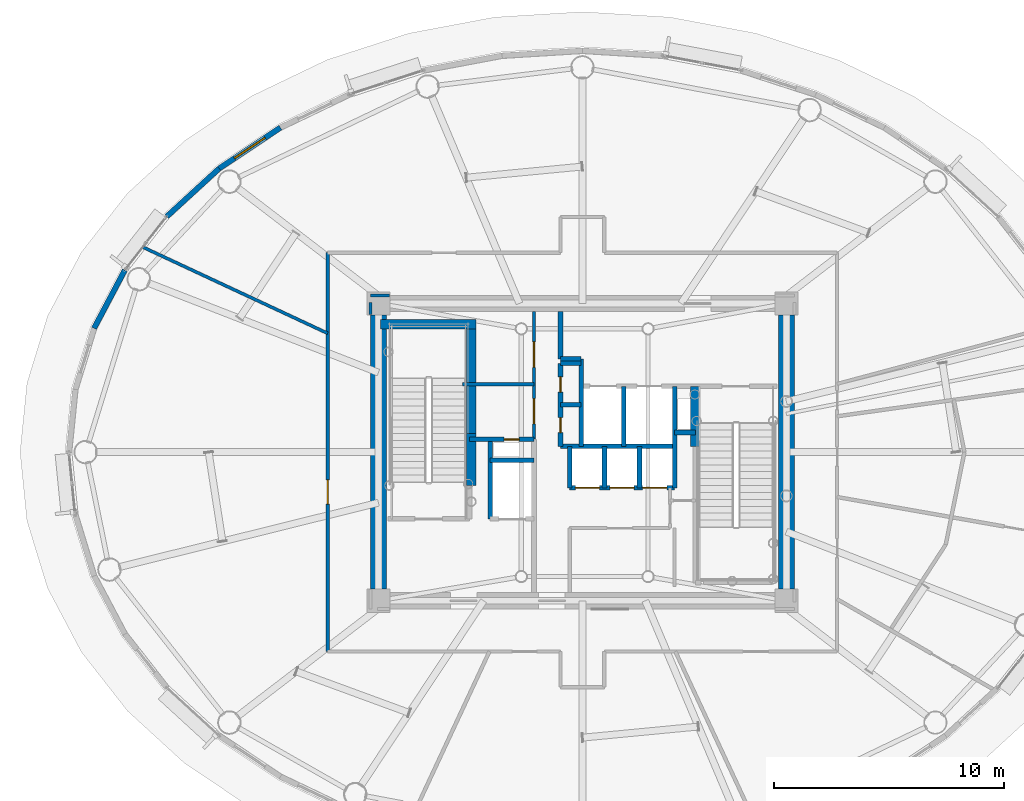
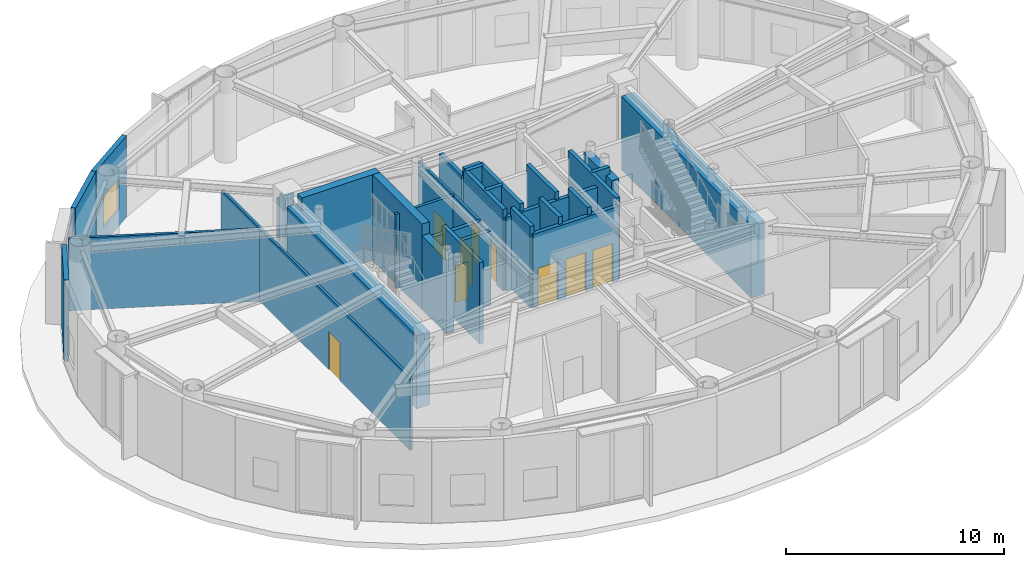
# One storey, part 23 of 32: 32 walls, 9 doors, 1 window, 10 openings.
"""IFC4 building model written with IfcOpenShell, lengths in metres."""

from ifc_helpers import new_model, si_unit, direction, frame, frame_2d, origin, origin_2d, place, context, subcontext, project, spatial, rectangle, extrude, source, transform, mapped, material, layer, layer_set, type_object, element, fill, save


model = new_model("IFC4")

# Units and contexts
model_context = context("Model", 3, precision=1e-05, world=origin(), true_north=direction((0.0, 1.0)))
body_context = subcontext(model_context, "Body", "Model", "MODEL_VIEW")
ifc_project = project(units=[si_unit("LENGTHUNIT", "METRE"), si_unit("AREAUNIT", "SQUARE_METRE"), si_unit("VOLUMEUNIT", "CUBIC_METRE"), si_unit("PLANEANGLEUNIT", "RADIAN"), si_unit("MASSUNIT", "GRAM", prefix="KILO")], contexts=[model_context])

# Site, building, storey
site_placement = place(None, origin())
site = spatial("IfcSite", under=ifc_project, at=site_placement, CompositionType="ELEMENT")
building_placement = place(site_placement, origin())
building = spatial("IfcBuilding", under=site, at=building_placement, Name="Linh Dai School and Residence Tower", CompositionType="ELEMENT")
storey_placement = place(building_placement, frame((0.0, 0.0, 268.199951171875)))
storey = spatial("IfcBuildingStorey", under=building, at=storey_placement, Name="L66", CompositionType="ELEMENT", Elevation=268.199951171875)

# Wall, opening, window
ifc_material_1 = material(Name="Precast Concrete B45 (C35/45)", Category="concrete")
ifc_layer_1 = layer(ifc_material_1, 0.239990234375)
ifc_layer_set_1 = layer_set([ifc_layer_1], Name="Precast Concrete B45 (C35/45)")
wall_type_1 = type_object("IfcWallType", Name="EW-TC-240", PredefinedType="SOLIDWALL", material=ifc_layer_set_1)
wall_1_placement = place(storey_placement, frame((20.23779296875, 39.30419921875, 0.0), z_axis=(0.0, 0.0, 1.0), x_axis=(0.831250592635, 0.55589787933, 0.0)))
wall_1 = element("IfcWall", 1, at=wall_1_placement, inside=storey, type_object=wall_type_1, Name="L66 Terracotta Exterior Wall 15", PredefinedType="SOLIDWALL", context=body_context, shape_type="SweptSolid", body=[
    extrude(rectangle(XDim=3.197265625, YDim=0.239990234375, at=frame_2d((1.5986328125, 0.0))), origin(), (0.0, 0.0, 1.0), 4.550048828125),
])
opening_1_placement = place(wall_1_placement, frame((0.798583984375, 0.0, 0.89990234375)))
opening_1 = element("IfcOpeningElement", 2, at=opening_1_placement, cuts=wall_1, Name="Opening W2", PredefinedType="OPENING", context=body_context, shape_type="SweptSolid", body=[
    extrude(rectangle(XDim=1.60009765625, YDim=1.75, at=origin_2d()), frame((0.800048828125, 0.1298828125, 0.875), z_axis=(0.0, -1.0, 0.0), x_axis=(1.0, 0.0, 0.0)), (0.0, 0.0, 1.0), 0.260009765625),
])
ifc_material_2 = material(Name="Double Low-E Insulated Glazing", Category="glass")
window_type = type_object("IfcWindowType", Name="WN-RES-1600x1750", PartitioningType="DOUBLE_PANEL_VERTICAL", PredefinedType="WINDOW", material=ifc_material_2)
shared_shape_1 = source(origin(), body_context, "Body", "SweptSolid", [
    extrude(rectangle(XDim=1.60009765625, YDim=1.75, at=origin_2d()), frame((0.800048828125, 0.030029296875, 0.875), z_axis=(0.0, -1.0, 0.0), x_axis=(1.0, 0.0, 0.0)), (0.0, 0.0, 1.0), 0.06005859375),
])
window_placement = place(opening_1_placement, origin())
window = element("IfcWindow", 3, at=window_placement, inside=storey, type_object=window_type, Name="L66 Exterior Window 15.1", OverallHeight=1.75, OverallWidth=1.60009765625, PartitioningType="DOUBLE_PANEL_VERTICAL", PredefinedType="WINDOW", context=body_context, shape_type="MappedRepresentation", body=[
    mapped(shared_shape_1, transform((0.0, 0.0, 0.0), x_axis=(1.0, 0.0, 0.0), y_axis=(0.0, 1.0, 0.0), z_axis=(0.0, 0.0, 1.0), scale=1.0)),
])
fill(opening_1, window)

# Walls
wall_2_placement = place(storey_placement, frame((17.9697265625, 37.224609375, 0.0), z_axis=(0.0, 0.0, 1.0), x_axis=(0.737068506972, 0.675818034703, 0.0)))
element("IfcWall", 4, at=wall_2_placement, inside=storey, type_object=wall_type_1, Name="L66 Terracotta Exterior Wall 16", PredefinedType="SOLIDWALL", context=body_context, shape_type="SweptSolid", body=[
    extrude(rectangle(XDim=3.0771484375, YDim=0.239990234375, at=frame_2d((1.53857421875, 0.0))), origin(), (0.0, 0.0, 1.0), 4.550048828125),
])
wall_3_placement = place(storey_placement, frame((14.811767578125, 32.372314453125, 0.0), z_axis=(0.0, 0.0, 1.0), x_axis=(0.467628269026, 0.883925224218, 0.0)))
element("IfcWall", 5, at=wall_3_placement, inside=storey, type_object=wall_type_1, Name="L66 Terracotta Exterior Wall 18", PredefinedType="SOLIDWALL", context=body_context, shape_type="SweptSolid", body=[
    extrude(rectangle(XDim=2.853759765625, YDim=0.239990234375, at=frame_2d((1.4267578125, 0.0))), origin(), (0.0, 0.0, 1.0), 4.550048828125),
])
ifc_material_3 = material(Name="Autoclaved Aerated Concrete Blockwork", Category="masonry")
ifc_layer_2 = layer(ifc_material_3, 0.135009765625)
ifc_layer_set_2 = layer_set([ifc_layer_2], Name="Autoclaved Aerated Concrete Blockwork")
wall_type_2 = type_object("IfcWallType", Name="IW-CORR-135-EI90", PredefinedType="PARTITIONING", material=ifc_layer_set_2)
wall_4_placement = place(storey_placement, frame((16.923095703125, 35.895751953125, 0.0), z_axis=(0.0, 0.0, 1.0), x_axis=(0.906300007429, -0.422634944762, 0.0)))
element("IfcWall", 6, at=wall_4_placement, inside=storey, type_object=wall_type_2, Name="L66 Interior Partition Wall 001", PredefinedType="PARTITIONING", context=body_context, shape_type="SweptSolid", body=[
    extrude(rectangle(XDim=8.856689453125, YDim=0.135009765625, at=frame_2d((4.42822265625, 0.0))), origin(), (0.0, 0.0, 1.0), 4.03515625),
])

# Wall, opening, door
wall_5_placement = place(storey_placement, frame((24.949951171875, 18.35009765625, 0.0), z_axis=(0.0, 0.0, 1.0), x_axis=(0.0, 1.0, 0.0)))
wall_5 = element("IfcWall", 7, at=wall_5_placement, inside=storey, type_object=wall_type_2, Name="L66 Interior Partition Wall 002", PredefinedType="PARTITIONING", context=body_context, shape_type="SweptSolid", body=[
    extrude(rectangle(XDim=17.2998046875, YDim=0.135009765625, at=frame_2d((8.64990234375, 0.0))), origin(), (0.0, 0.0, 1.0), 4.0849609375),
])
opening_2_placement = place(wall_5_placement, frame((6.396240234375, 0.0, 0.0)))
opening_2 = element("IfcOpeningElement", 8, at=opening_2_placement, cuts=wall_5, Name="Opening D04", PredefinedType="OPENING", context=body_context, shape_type="SweptSolid", body=[
    extrude(rectangle(XDim=1.050048828125, YDim=2.14990234375, at=origin_2d()), frame((0.52490234375, 0.07763671875, 1.074951171875), z_axis=(0.0, -1.0, 0.0), x_axis=(1.0, 0.0, 0.0)), (0.0, 0.0, 1.0), 0.155029296875),
])
ifc_material_4 = material(Name="Acoustic Vision-Panel Timber Classroom Door", Category="wood")
door_type_1 = type_object("IfcDoorType", Name="DR-SCH-1050x2150-FD60S", OperationType="NOTDEFINED", PredefinedType="DOOR", material=ifc_material_4)
shared_shape_2 = source(origin(), body_context, "Body", "SweptSolid", [
    extrude(rectangle(XDim=1.050048828125, YDim=2.14990234375, at=origin_2d()), frame((0.52490234375, 0.02490234375, 1.074951171875), z_axis=(0.0, -1.0, 0.0), x_axis=(1.0, 0.0, 0.0)), (0.0, 0.0, 1.0), 0.050048828125),
])
door_1_placement = place(opening_2_placement, origin())
door_1 = element("IfcDoor", 9, at=door_1_placement, inside=storey, type_object=door_type_1, Name="L66 High-Zone Han River Viewing Salon Door", OperationType="SINGLE_SWING_LEFT", OverallHeight=2.14990234375, OverallWidth=1.050048828125, PredefinedType="DOOR", context=body_context, shape_type="MappedRepresentation", body=[
    mapped(shared_shape_2, transform((0.0, 0.0, 0.0), x_axis=(1.0, 0.0, 0.0), y_axis=(0.0, 1.0, 0.0), z_axis=(0.0, 0.0, 1.0), scale=1.0)),
])
fill(opening_2, door_1)

# Wall, openings, doors
wall_6_placement = place(storey_placement, frame((33.89990234375, 27.56005859375, 0.0), z_axis=(0.0, 0.0, 1.0), x_axis=(0.0, 1.0, 0.0)))
wall_6 = element("IfcWall", 10, at=wall_6_placement, inside=storey, type_object=wall_type_2, Name="L66 Interior Partition Wall 014", PredefinedType="PARTITIONING", context=body_context, shape_type="SweptSolid", body=[
    extrude(rectangle(XDim=5.5400390625, YDim=0.135009765625, at=frame_2d((2.77001953125, 0.0))), origin(), (0.0, 0.0, 1.0), 4.135009765625),
])
opening_3_placement = place(wall_6_placement, frame((0.6650390625, 0.0, 0.0)))
opening_3 = element("IfcOpeningElement", 11, at=opening_3_placement, cuts=wall_6, Name="Opening D07", PredefinedType="OPENING", context=body_context, shape_type="SweptSolid", body=[
    extrude(rectangle(XDim=1.10009765625, YDim=2.14990234375, at=origin_2d()), frame((0.550048828125, 0.07763671875, 1.074951171875), z_axis=(0.0, -1.0, 0.0), x_axis=(1.0, 0.0, 0.0)), (0.0, 0.0, 1.0), 0.155029296875),
])
opening_4_placement = place(wall_6_placement, frame((3.117431640625, 0.0, 0.0)))
opening_4 = element("IfcOpeningElement", 12, at=opening_4_placement, cuts=wall_6, Name="Opening D07", PredefinedType="OPENING", context=body_context, shape_type="SweptSolid", body=[
    extrude(rectangle(XDim=1.10009765625, YDim=2.14990234375, at=origin_2d()), frame((0.550048828125, 0.07763671875, 1.074951171875), z_axis=(0.0, -1.0, 0.0), x_axis=(1.0, 0.0, 0.0)), (0.0, 0.0, 1.0), 0.155029296875),
])
ifc_material_5 = material(Name="Fire-Rated Louvred Steel Plant Door", Category="steel")
door_type_2 = type_object("IfcDoorType", Name="DR-PLT-1100x2150-FD60S", OperationType="NOTDEFINED", PredefinedType="DOOR", material=ifc_material_5)
shared_shape_3 = source(origin(), body_context, "Body", "SweptSolid", [
    extrude(rectangle(XDim=1.10009765625, YDim=2.14990234375, at=origin_2d()), frame((0.550048828125, 0.02490234375, 1.074951171875), z_axis=(0.0, -1.0, 0.0), x_axis=(1.0, 0.0, 0.0)), (0.0, 0.0, 1.0), 0.050048828125),
])
door_2_placement = place(opening_3_placement, origin())
door_2 = element("IfcDoor", 13, at=door_2_placement, inside=storey, type_object=door_type_2, Name="L66 BMS and Data Room Door", OperationType="SINGLE_SWING_RIGHT", OverallHeight=2.14990234375, OverallWidth=1.10009765625, PredefinedType="DOOR", context=body_context, shape_type="MappedRepresentation", body=[
    mapped(shared_shape_3, transform((0.0, 0.0, 0.0), x_axis=(1.0, 0.0, 0.0), y_axis=(0.0, 1.0, 0.0), z_axis=(0.0, 0.0, 1.0), scale=1.0)),
])
fill(opening_3, door_2)
door_3_placement = place(opening_4_placement, origin())
door_3 = element("IfcDoor", 14, at=door_3_placement, inside=storey, type_object=door_type_2, Name="L66 Housekeeping Linen Room Door", OperationType="SINGLE_SWING_LEFT", OverallHeight=2.14990234375, OverallWidth=1.10009765625, PredefinedType="DOOR", context=body_context, shape_type="MappedRepresentation", body=[
    mapped(shared_shape_3, transform((0.0, 0.0, 0.0), x_axis=(1.0, 0.0, 0.0), y_axis=(0.0, 1.0, 0.0), z_axis=(0.0, 0.0, 1.0), scale=1.0)),
])
fill(opening_4, door_3)

# Walls
wall_7_placement = place(storey_placement, frame((27.639892578125, 33.800048828125, 0.0), z_axis=(0.0, 0.0, 1.0), x_axis=(-1.0, 0.0, 0.0)))
element("IfcWall", 15, at=wall_7_placement, inside=storey, type_object=wall_type_2, Name="L66 Interior Partition Wall 056", PredefinedType="PARTITIONING", context=body_context, shape_type="SweptSolid", body=[
    extrude(rectangle(XDim=0.83984375, YDim=0.135009765625, at=frame_2d((0.419921875, 0.0))), origin(), (0.0, 0.0, 1.0), 4.0849609375),
])
wall_8_placement = place(storey_placement, frame((26.800048828125, 33.492431640625, 0.0), z_axis=(0.0, 0.0, 1.0), x_axis=(0.0, -1.0, 0.0)))
element("IfcWall", 16, at=wall_8_placement, inside=storey, type_object=wall_type_2, Name="L66 Interior Partition Wall 057", PredefinedType="PARTITIONING", context=body_context, shape_type="SweptSolid", body=[
    extrude(rectangle(XDim=0.532470703125, YDim=0.135009765625, at=frame_2d((0.26611328125, 0.0))), origin(), (0.0, 0.0, 1.0), 4.550048828125),
])
ifc_layer_3 = layer(ifc_material_3, 0.14990234375)
ifc_layer_set_3 = layer_set([ifc_layer_3], Name="Autoclaved Aerated Concrete Blockwork")
wall_type_3 = type_object("IfcWallType", Name="IW-SCH-150-EI60", PredefinedType="PARTITIONING", material=ifc_layer_set_3)
wall_9_placement = place(storey_placement, frame((30.800048828125, 29.949951171875, 0.0), z_axis=(0.0, 0.0, 1.0), x_axis=(1.0, 0.0, 0.0)))
element("IfcWall", 17, at=wall_9_placement, inside=storey, type_object=wall_type_3, Name="L66 Interior Partition Wall 007", PredefinedType="PARTITIONING", context=body_context, shape_type="SweptSolid", body=[
    extrude(rectangle(XDim=3.099853515625, YDim=0.14990234375, at=frame_2d((1.5498046875, 0.0))), origin(), (0.0, 0.0, 1.0), 4.135009765625),
])

# Wall, opening, door
ifc_material_6 = material(Name="Concrete B45 (C35/45)", Category="concrete")
ifc_layer_4 = layer(ifc_material_6, 0.199951171875)
ifc_layer_set_4 = layer_set([ifc_layer_4], Name="Concrete B45 (C35/45)")
wall_type_4 = type_object("IfcWallType", Name="IW-SHAFT-200-EI120", PredefinedType="PARTITIONING", material=ifc_layer_set_4)
wall_10_placement = place(storey_placement, frame((31.10009765625, 27.550048828125, 0.0), z_axis=(0.0, 0.0, 1.0), x_axis=(1.0, 0.0, 0.0)))
wall_10 = element("IfcWall", 18, at=wall_10_placement, inside=storey, type_object=wall_type_4, Name="L66 Interior Partition Wall 009", PredefinedType="PARTITIONING", context=body_context, shape_type="SweptSolid", body=[
    extrude(rectangle(XDim=2.7998046875, YDim=0.199951171875, at=frame_2d((1.39990234375, 0.0))), origin(), (0.0, 0.0, 1.0), 4.135009765625),
])
opening_5_placement = place(wall_10_placement, frame((1.5, 0.0, 0.0)))
opening_5 = element("IfcOpeningElement", 19, at=opening_5_placement, cuts=wall_10, Name="Opening AD1", PredefinedType="OPENING", context=body_context, shape_type="SweptSolid", body=[
    extrude(rectangle(XDim=0.659912109375, YDim=2.050048828125, at=origin_2d()), frame((0.330078125, 0.10986328125, 1.02490234375), z_axis=(0.0, -1.0, 0.0), x_axis=(1.0, 0.0, 0.0)), (0.0, 0.0, 1.0), 0.219970703125),
])
ifc_material_7 = material(Name="Fire-Rated Steel Riser Access Door", Category="steel")
door_type_3 = type_object("IfcDoorType", Name="DR-ACC-660x2050-FD90S", OperationType="NOTDEFINED", PredefinedType="USERDEFINED", material=ifc_material_7)
shared_shape_4 = source(origin(), body_context, "Body", "SweptSolid", [
    extrude(rectangle(XDim=0.659912109375, YDim=2.050048828125, at=origin_2d()), frame((0.330078125, 0.02490234375, 1.02490234375), z_axis=(0.0, -1.0, 0.0), x_axis=(1.0, 0.0, 0.0)), (0.0, 0.0, 1.0), 0.050048828125),
])
door_4_placement = place(opening_5_placement, origin())
door_4 = element("IfcDoor", 20, at=door_4_placement, inside=storey, type_object=door_type_3, Name="L66 Main Electrical Riser Access Door", ObjectType="ACCESS DOOR", OperationType="SINGLE_SWING_LEFT", OverallHeight=2.050048828125, OverallWidth=0.659912109375, PredefinedType="USERDEFINED", context=body_context, shape_type="MappedRepresentation", body=[
    mapped(shared_shape_4, transform((0.0, 0.0, 0.0), x_axis=(1.0, 0.0, 0.0), y_axis=(0.0, 1.0, 0.0), z_axis=(0.0, 0.0, 1.0), scale=1.0)),
])
fill(opening_5, door_4)

# Walls
wall_11_placement = place(storey_placement, frame((32.0, 24.10009765625, 0.0), z_axis=(0.0, 0.0, 1.0), x_axis=(0.0, 1.0, 0.0)))
element("IfcWall", 21, at=wall_11_placement, inside=storey, type_object=wall_type_4, Name="L66 Interior Partition Wall 010", PredefinedType="PARTITIONING", context=body_context, shape_type="SweptSolid", body=[
    extrude(rectangle(XDim=3.449951171875, YDim=0.199951171875, at=frame_2d((1.72509765625, 0.0))), origin(), (0.0, 0.0, 1.0), 4.550048828125),
])
wall_12_placement = place(storey_placement, frame((32.0, 26.64990234375, 0.0), z_axis=(0.0, 0.0, 1.0), x_axis=(1.0, 0.0, 0.0)))
element("IfcWall", 22, at=wall_12_placement, inside=storey, type_object=wall_type_4, Name="L66 Interior Partition Wall 012", PredefinedType="PARTITIONING", context=body_context, shape_type="SweptSolid", body=[
    extrude(rectangle(XDim=1.89990234375, YDim=0.199951171875, at=frame_2d((0.949951171875, 0.0))), origin(), (0.0, 0.0, 1.0), 4.135009765625),
])

# Wall, openings, doors
wall_13_placement = place(storey_placement, frame((35.050048828125, 27.25, 0.0), z_axis=(0.0, 0.0, 1.0), x_axis=(0.0, 1.0, 0.0)))
wall_13 = element("IfcWall", 23, at=wall_13_placement, inside=storey, type_object=wall_type_4, Name="L66 Interior Partition Wall 017", PredefinedType="PARTITIONING", context=body_context, shape_type="SweptSolid", body=[
    extrude(rectangle(XDim=3.60009765625, YDim=0.199951171875, at=frame_2d((1.800048828125, 0.0))), origin(), (0.0, 0.0, 1.0), 4.550048828125),
])
opening_6_placement = place(wall_13_placement, frame((0.590087890625, 0.0, 0.0)))
opening_6 = element("IfcOpeningElement", 24, at=opening_6_placement, cuts=wall_13, Name="Opening AD1", PredefinedType="OPENING", context=body_context, shape_type="SweptSolid", body=[
    extrude(rectangle(XDim=0.659912109375, YDim=2.050048828125, at=origin_2d()), frame((0.330078125, 0.10986328125, 1.02490234375), z_axis=(0.0, -1.0, 0.0), x_axis=(1.0, 0.0, 0.0)), (0.0, 0.0, 1.0), 0.219970703125),
])
opening_7_placement = place(wall_13_placement, frame((2.35009765625, 0.0, 0.0)))
opening_7 = element("IfcOpeningElement", 25, at=opening_7_placement, cuts=wall_13, Name="Opening AD1", PredefinedType="OPENING", context=body_context, shape_type="SweptSolid", body=[
    extrude(rectangle(XDim=0.659912109375, YDim=2.050048828125, at=origin_2d()), frame((0.330078125, 0.10986328125, 1.02490234375), z_axis=(0.0, -1.0, 0.0), x_axis=(1.0, 0.0, 0.0)), (0.0, 0.0, 1.0), 0.219970703125),
])
door_5_placement = place(opening_6_placement, origin())
door_5 = element("IfcDoor", 26, at=door_5_placement, inside=storey, type_object=door_type_3, Name="L66 Telecom and Data Riser Access Door", ObjectType="ACCESS DOOR", OperationType="SINGLE_SWING_LEFT", OverallHeight=2.050048828125, OverallWidth=0.659912109375, PredefinedType="USERDEFINED", context=body_context, shape_type="MappedRepresentation", body=[
    mapped(shared_shape_4, transform((0.0, 0.0, 0.0), x_axis=(1.0, 0.0, 0.0), y_axis=(0.0, 1.0, 0.0), z_axis=(0.0, 0.0, 1.0), scale=1.0)),
])
fill(opening_6, door_5)
door_6_placement = place(opening_7_placement, origin())
door_6 = element("IfcDoor", 27, at=door_6_placement, inside=storey, type_object=door_type_3, Name="L66 Mechanical and Plumbing Riser Access Door", ObjectType="ACCESS DOOR", OperationType="SINGLE_SWING_RIGHT", OverallHeight=2.050048828125, OverallWidth=0.659912109375, PredefinedType="USERDEFINED", context=body_context, shape_type="MappedRepresentation", body=[
    mapped(shared_shape_4, transform((0.0, 0.0, 0.0), x_axis=(1.0, 0.0, 0.0), y_axis=(0.0, 1.0, 0.0), z_axis=(0.0, 0.0, 1.0), scale=1.0)),
])
fill(opening_7, door_6)

# Walls
wall_14_placement = place(storey_placement, frame((35.050048828125, 27.25, 0.0), z_axis=(0.0, 0.0, 1.0), x_axis=(1.0, 0.0, 0.0)))
element("IfcWall", 28, at=wall_14_placement, inside=storey, type_object=wall_type_4, Name="L66 Interior Partition Wall 018", PredefinedType="PARTITIONING", context=body_context, shape_type="SweptSolid", body=[
    extrude(rectangle(XDim=4.949951171875, YDim=0.199951171875, at=frame_2d((2.47509765625, 0.0))), origin(), (0.0, 0.0, 1.0), 4.135009765625),
])
for number, where, z_axis, x_axis, name in (
    (29, (35.050048828125, 29.050048828125, 0.0), (0.0, 0.0, 1.0), (1.0, 0.0, 0.0), "L66 Interior Partition Wall 019"),
    (30, (35.050048828125, 30.85009765625, 0.0), (0.0, 0.0, 1.0), (1.0, 0.0, 0.0), "L66 Interior Partition Wall 020"),
):
    element("IfcWall", number, at=place(storey_placement, frame(where, z_axis=z_axis, x_axis=x_axis)), inside=storey, type_object=wall_type_4, Name=name, PredefinedType="PARTITIONING", context=body_context, shape_type="SweptSolid", body=[
        extrude(rectangle(XDim=0.89990234375, YDim=0.199951171875, at=frame_2d((0.449951171875, 0.0))), origin(), (0.0, 0.0, 1.0), 4.550048828125),
    ])
wall_15_placement = place(storey_placement, frame((35.050048828125, 31.050048828125, 0.0), z_axis=(0.0, 0.0, 1.0), x_axis=(0.0, 1.0, 0.0)))
element("IfcWall", 31, at=wall_15_placement, inside=storey, type_object=wall_type_4, Name="L66 Interior Partition Wall 021", PredefinedType="PARTITIONING", context=body_context, shape_type="SweptSolid", body=[
    extrude(rectangle(XDim=2.050048828125, YDim=0.199951171875, at=frame_2d((1.02490234375, 0.0))), origin(), (0.0, 0.0, 1.0), 4.135009765625),
])
wall_16_placement = place(storey_placement, frame((35.050048828125, 31.050048828125, 0.0), z_axis=(0.0, 0.0, 1.0), x_axis=(1.0, 0.0, 0.0)))
element("IfcWall", 32, at=wall_16_placement, inside=storey, type_object=wall_type_4, Name="L66 Interior Partition Wall 022", PredefinedType="PARTITIONING", context=body_context, shape_type="SweptSolid", body=[
    extrude(rectangle(XDim=0.89990234375, YDim=0.199951171875, at=frame_2d((0.449951171875, 0.0))), origin(), (0.0, 0.0, 1.0), 4.550048828125),
])
wall_17_placement = place(storey_placement, frame((35.449951171875, 25.449951171875, 0.0), z_axis=(0.0, 0.0, 1.0), x_axis=(0.0, 1.0, 0.0)))
element("IfcWall", 33, at=wall_17_placement, inside=storey, type_object=wall_type_4, Name="L66 Interior Partition Wall 027", PredefinedType="PARTITIONING", context=body_context, shape_type="SweptSolid", body=[
    extrude(rectangle(XDim=1.800048828125, YDim=0.199951171875, at=frame_2d((0.89990234375, 0.0))), origin(), (0.0, 0.0, 1.0), 4.550048828125),
])

# Wall, openings, doors
wall_18_placement = place(storey_placement, frame((35.449951171875, 25.449951171875, 0.0), z_axis=(0.0, 0.0, 1.0), x_axis=(1.0, 0.0, 0.0)))
wall_18 = element("IfcWall", 34, at=wall_18_placement, inside=storey, type_object=wall_type_4, Name="L66 Interior Partition Wall 028", PredefinedType="PARTITIONING", context=body_context, shape_type="SweptSolid", body=[
    extrude(rectangle(XDim=4.550048828125, YDim=0.199951171875, at=frame_2d((2.27490234375, 0.0))), origin(), (0.0, 0.0, 1.0), 4.135009765625),
])
opening_8_placement = place(wall_18_placement, frame((0.25, 0.0, 0.0)))
opening_8 = element("IfcOpeningElement", 35, at=opening_8_placement, cuts=wall_18, Name="Opening LD-PL7", PredefinedType="OPENING", context=body_context, shape_type="SweptSolid", body=[
    extrude(rectangle(XDim=1.050048828125, YDim=2.14990234375, at=origin_2d()), frame((0.52490234375, 0.10986328125, 1.074951171875), z_axis=(0.0, -1.0, 0.0), x_axis=(1.0, 0.0, 0.0)), (0.0, 0.0, 1.0), 0.219970703125),
])
opening_9_placement = place(wall_18_placement, frame((1.7451171875, 0.0, 0.0)))
opening_9 = element("IfcOpeningElement", 36, at=opening_9_placement, cuts=wall_18, Name="Opening LD-PL8", PredefinedType="OPENING", context=body_context, shape_type="SweptSolid", body=[
    extrude(rectangle(XDim=1.050048828125, YDim=2.14990234375, at=origin_2d()), frame((0.52490234375, 0.10986328125, 1.074951171875), z_axis=(0.0, -1.0, 0.0), x_axis=(1.0, 0.0, 0.0)), (0.0, 0.0, 1.0), 0.219970703125),
])
opening_10_placement = place(wall_18_placement, frame((3.1650390625, 0.0, 0.0)))
opening_10 = element("IfcOpeningElement", 37, at=opening_10_placement, cuts=wall_18, Name="Opening LD-PL9", PredefinedType="OPENING", context=body_context, shape_type="SweptSolid", body=[
    extrude(rectangle(XDim=1.050048828125, YDim=2.14990234375, at=origin_2d()), frame((0.52490234375, 0.10986328125, 1.074951171875), z_axis=(0.0, -1.0, 0.0), x_axis=(1.0, 0.0, 0.0)), (0.0, 0.0, 1.0), 0.219970703125),
])
ifc_material_8 = material(Name="Brushed Stainless Steel Lift Landing Door", Category="steel")
door_type_4 = type_object("IfcDoorType", Name="DR-LD-PASS-1050x2150", OperationType="DOUBLE_DOOR_SLIDING", PredefinedType="USERDEFINED", material=ifc_material_8)
shared_shape_5 = source(origin(), body_context, "Body", "SweptSolid", [
    extrude(rectangle(XDim=1.050048828125, YDim=2.14990234375, at=origin_2d()), frame((0.52490234375, 0.02490234375, 1.074951171875), z_axis=(0.0, -1.0, 0.0), x_axis=(1.0, 0.0, 0.0)), (0.0, 0.0, 1.0), 0.050048828125),
])
door_7_placement = place(opening_8_placement, origin())
door_7 = element("IfcDoor", 38, at=door_7_placement, inside=storey, type_object=door_type_4, Name="L66 Lift PL7 Sliding Landing Door", ObjectType="LANDING DOOR", OperationType="DOUBLE_DOOR_SLIDING", OverallHeight=2.14990234375, OverallWidth=1.050048828125, PredefinedType="USERDEFINED", context=body_context, shape_type="MappedRepresentation", body=[
    mapped(shared_shape_5, transform((0.0, 0.0, 0.0), x_axis=(1.0, 0.0, 0.0), y_axis=(0.0, 1.0, 0.0), z_axis=(0.0, 0.0, 1.0), scale=1.0)),
])
fill(opening_8, door_7)
door_8_placement = place(opening_9_placement, origin())
door_8 = element("IfcDoor", 39, at=door_8_placement, inside=storey, type_object=door_type_4, Name="L66 Lift PL8 Sliding Landing Door", ObjectType="LANDING DOOR", OperationType="DOUBLE_DOOR_SLIDING", OverallHeight=2.14990234375, OverallWidth=1.050048828125, PredefinedType="USERDEFINED", context=body_context, shape_type="MappedRepresentation", body=[
    mapped(shared_shape_5, transform((0.0, 0.0, 0.0), x_axis=(1.0, 0.0, 0.0), y_axis=(0.0, 1.0, 0.0), z_axis=(0.0, 0.0, 1.0), scale=1.0)),
])
fill(opening_9, door_8)
door_9_placement = place(opening_10_placement, origin())
door_9 = element("IfcDoor", 40, at=door_9_placement, inside=storey, type_object=door_type_4, Name="L66 Lift PL9 Sliding Landing Door", ObjectType="LANDING DOOR", OperationType="DOUBLE_DOOR_SLIDING", OverallHeight=2.14990234375, OverallWidth=1.050048828125, PredefinedType="USERDEFINED", context=body_context, shape_type="MappedRepresentation", body=[
    mapped(shared_shape_5, transform((0.0, 0.0, 0.0), x_axis=(1.0, 0.0, 0.0), y_axis=(0.0, 1.0, 0.0), z_axis=(0.0, 0.0, 1.0), scale=1.0)),
])
fill(opening_10, door_9)

# Walls
wall_19_placement = place(storey_placement, frame((35.949951171875, 27.25, 0.0), z_axis=(0.0, 0.0, 1.0), x_axis=(0.0, 1.0, 0.0)))
element("IfcWall", 41, at=wall_19_placement, inside=storey, type_object=wall_type_4, Name="L66 Interior Partition Wall 029", PredefinedType="PARTITIONING", context=body_context, shape_type="SweptSolid", body=[
    extrude(rectangle(XDim=3.800048828125, YDim=0.199951171875, at=frame_2d((1.89990234375, 0.0))), origin(), (0.0, 0.0, 1.0), 4.550048828125),
])
wall_20_placement = place(storey_placement, frame((36.9599609375, 25.449951171875, 0.0), z_axis=(0.0, 0.0, 1.0), x_axis=(0.0, 1.0, 0.0)))
element("IfcWall", 42, at=wall_20_placement, inside=storey, type_object=wall_type_4, Name="L66 Interior Partition Wall 035", PredefinedType="PARTITIONING", context=body_context, shape_type="SweptSolid", body=[
    extrude(rectangle(XDim=1.800048828125, YDim=0.199951171875, at=frame_2d((0.89990234375, 0.0))), origin(), (0.0, 0.0, 1.0), 4.550048828125),
])
wall_21_placement = place(storey_placement, frame((37.800048828125, 27.25, 0.0), z_axis=(0.0, 0.0, 1.0), x_axis=(0.0, 1.0, 0.0)))
element("IfcWall", 43, at=wall_21_placement, inside=storey, type_object=wall_type_4, Name="L66 Interior Partition Wall 036", PredefinedType="PARTITIONING", context=body_context, shape_type="SweptSolid", body=[
    extrude(rectangle(XDim=2.60009765625, YDim=0.199951171875, at=frame_2d((1.300048828125, 0.0))), origin(), (0.0, 0.0, 1.0), 4.550048828125),
])
wall_22_placement = place(storey_placement, frame((38.47998046875, 25.449951171875, 0.0), z_axis=(0.0, 0.0, 1.0), x_axis=(0.0, 1.0, 0.0)))
element("IfcWall", 44, at=wall_22_placement, inside=storey, type_object=wall_type_4, Name="L66 Interior Partition Wall 037", PredefinedType="PARTITIONING", context=body_context, shape_type="SweptSolid", body=[
    extrude(rectangle(XDim=1.800048828125, YDim=0.199951171875, at=frame_2d((0.89990234375, 0.0))), origin(), (0.0, 0.0, 1.0), 4.550048828125),
])
wall_23_placement = place(storey_placement, frame((40.0, 25.449951171875, 0.0), z_axis=(0.0, 0.0, 1.0), x_axis=(0.0, 1.0, 0.0)))
element("IfcWall", 45, at=wall_23_placement, inside=storey, type_object=wall_type_4, Name="L66 Interior Partition Wall 040", PredefinedType="PARTITIONING", context=body_context, shape_type="SweptSolid", body=[
    extrude(rectangle(XDim=4.400146484375, YDim=0.199951171875, at=frame_2d((2.2001953125, 0.0))), origin(), (0.0, 0.0, 1.0), 4.550048828125),
])
wall_24_placement = place(storey_placement, frame((40.0, 27.85009765625, 0.0), z_axis=(0.0, 0.0, 1.0), x_axis=(1.0, 0.0, 0.0)))
element("IfcWall", 46, at=wall_24_placement, inside=storey, type_object=wall_type_4, Name="L66 Interior Partition Wall 041", PredefinedType="PARTITIONING", context=body_context, shape_type="SweptSolid", body=[
    extrude(rectangle(XDim=0.89990234375, YDim=0.199951171875, at=frame_2d((0.449951171875, 0.0))), origin(), (0.0, 0.0, 1.0), 4.550048828125),
])
ifc_layer_5 = layer(ifc_material_6, 0.39990234375)
ifc_layer_set_5 = layer_set([ifc_layer_5], Name="Concrete B45 (C35/45)")
wall_type_5 = type_object("IfcWallType", Name="WL-CORE400", PredefinedType="SHEAR", material=ifc_layer_set_5)
wall_25_placement = place(storey_placement, frame((31.179931640625, 27.800048828125, 0.0), z_axis=(0.0, 0.0, 1.0), x_axis=(0.0, 1.0, 0.0)))
element("IfcWall", 47, at=wall_25_placement, inside=storey, type_object=wall_type_5, Name="L66 Core Stair ST1 Bearing Wall E", PredefinedType="SHEAR", context=body_context, shape_type="SweptSolid", body=[
    extrude(rectangle(XDim=4.75, YDim=0.39990234375, at=frame_2d((2.375, 0.0))), origin(), (0.0, 0.0, 1.0), 4.800048828125),
])
wall_26_placement = place(storey_placement, frame((27.25, 32.550048828125, 0.0), z_axis=(0.0, 0.0, 1.0), x_axis=(1.0, 0.0, 0.0)))
element("IfcWall", 48, at=wall_26_placement, inside=storey, type_object=wall_type_5, Name="L66 Core Stair ST1 Bearing Wall N", PredefinedType="SHEAR", context=body_context, shape_type="SweptSolid", body=[
    extrude(rectangle(XDim=4.1298828125, YDim=0.39990234375, at=frame_2d((2.06494140625, 0.0))), origin(), (0.0, 0.0, 1.0), 4.800048828125),
])
wall_27_placement = place(storey_placement, frame((31.179931640625, 25.550048828125, 0.0), z_axis=(0.0, 0.0, 1.0), x_axis=(0.0, 1.0, 0.0)))
element("IfcWall", 49, at=wall_27_placement, inside=storey, type_object=wall_type_5, Name="L66 Internal Core Shear Wall IW", PredefinedType="SHEAR", context=body_context, shape_type="SweptSolid", body=[
    extrude(rectangle(XDim=2.25, YDim=0.39990234375, at=frame_2d((1.125, 0.0))), origin(), (0.0, 0.0, 1.0), 4.150146484375),
])
wall_28_placement = place(storey_placement, frame((40.89990234375, 27.25, 0.0), z_axis=(0.0, 0.0, 1.0), x_axis=(0.0, 1.0, 0.0)))
element("IfcWall", 50, at=wall_28_placement, inside=storey, type_object=wall_type_5, Name="L66 Internal Core Shear Wall IE", PredefinedType="SHEAR", context=body_context, shape_type="SweptSolid", body=[
    extrude(rectangle(XDim=2.60009765625, YDim=0.39990234375, at=frame_2d((1.300048828125, 0.0))), origin(), (0.0, 0.0, 1.0), 4.150146484375),
])
ifc_layer_6 = layer(ifc_material_6, 0.699951171875)
ifc_layer_set_6 = layer_set([ifc_layer_6], Name="Concrete B45 (C35/45)")
wall_type_6 = type_object("IfcWallType", Name="WL-CORE700", PredefinedType="SHEAR", material=ifc_layer_set_6)
for number, where, z_axis, x_axis, name in (
    (51, (44.85009765625, 32.949951171875, 0.0), (0.0, 0.0, 1.0), (0.0, -1.0, 0.0), "L66 Central Core Shear Wall E"),
    (52, (27.14990234375, 21.050048828125, 0.0), (0.0, 0.0, 1.0), (0.0, 1.0, 0.0), "L66 Central Core Shear Wall W"),
):
    element("IfcWall", number, at=place(storey_placement, frame(where, z_axis=z_axis, x_axis=x_axis)), inside=storey, type_object=wall_type_6, Name=name, PredefinedType="SHEAR", context=body_context, shape_type="SweptSolid", body=[
        extrude(rectangle(XDim=11.89990234375, YDim=0.699951171875, at=frame_2d((5.949951171875, 0.0))), origin(), (0.0, 0.0, 1.0), 4.10009765625),
    ])

save(model, "model.ifc")
